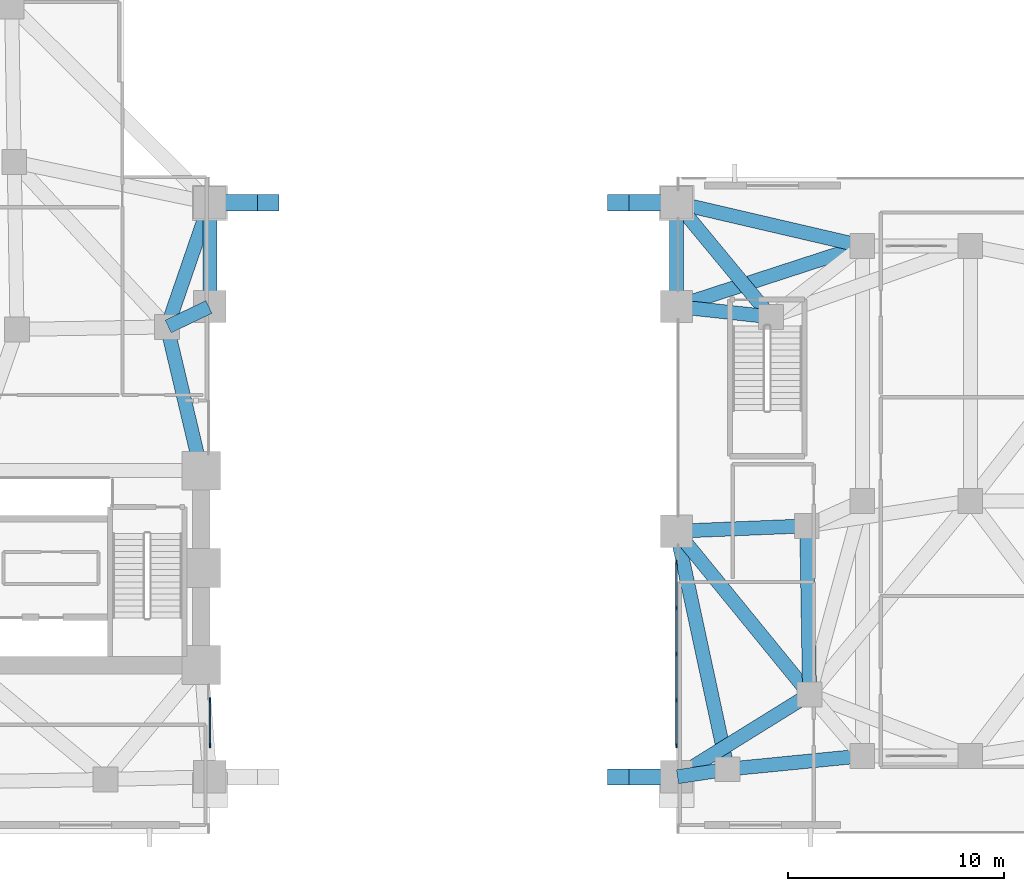
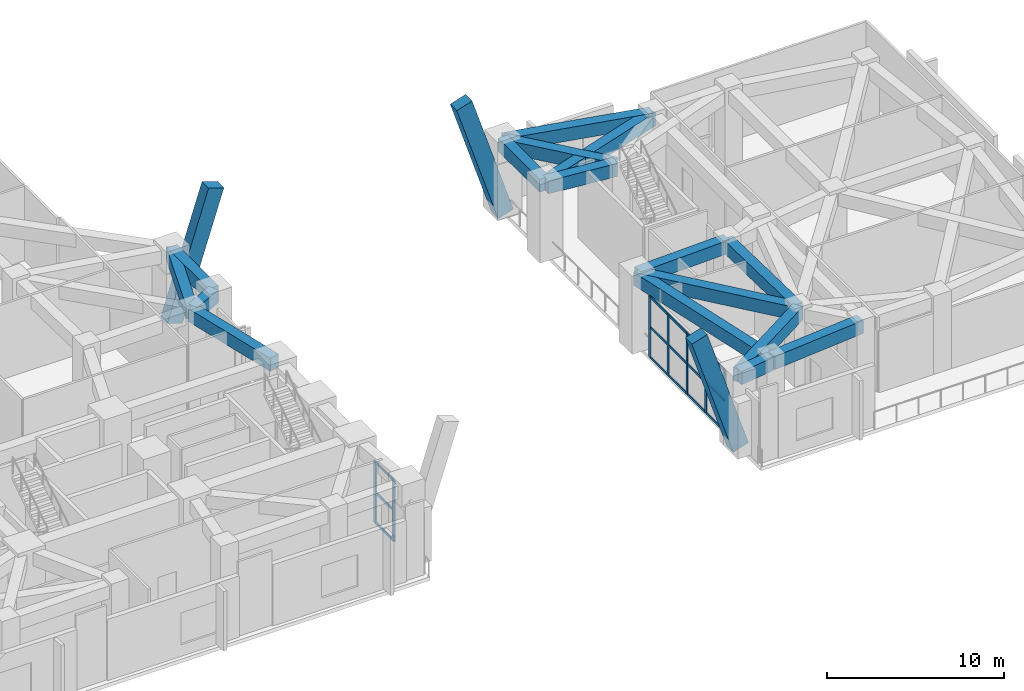
# One storey, part 2 of 18: 22 members, 19 beams, 2 elements without a shape of their own.
"""IFC4 building model written with IfcOpenShell, lengths in metres."""

from ifc_helpers import new_model, si_unit, direction, frame, origin, origin_2d, place, context, subcontext, project, spatial, rectangle, extrude, material, material_profile, profile_set, type_object, element, aggregate, save


model = new_model("IFC4")

# Units and contexts
model_context = context("Model", 3, precision=1e-05, world=origin(), true_north=direction((0.0, 1.0)))
body_context = subcontext(model_context, "Body", "Model", "MODEL_VIEW")
ifc_project = project(units=[si_unit("LENGTHUNIT", "METRE"), si_unit("AREAUNIT", "SQUARE_METRE"), si_unit("VOLUMEUNIT", "CUBIC_METRE"), si_unit("PLANEANGLEUNIT", "RADIAN"), si_unit("MASSUNIT", "GRAM", prefix="KILO")], contexts=[model_context])

# Site, building, storey
site_placement = place(None, origin())
site = spatial("IfcSite", under=ifc_project, at=site_placement, CompositionType="ELEMENT")
building_placement = place(site_placement, origin())
building = spatial("IfcBuilding", under=site, at=building_placement, Name="Gaonmaruhae Medical Tower", CompositionType="ELEMENT")
storey_placement = place(building_placement, frame((0.0, 0.0, 5.39990234375)))
storey = spatial("IfcBuildingStorey", under=building, at=storey_placement, Name="L01", CompositionType="ELEMENT", Elevation=5.39990234375)

# Beams
ifc_material_1 = material(Name="Concrete C60/75", Category="concrete")
ifc_material_profile_1 = material_profile(ifc_material_1, rectangle(XDim=0.75, YDim=1.050048828125, at=origin_2d()), Name="RCG-750x1050")
ifc_profile_set_1 = profile_set([ifc_material_profile_1], Name="Concrete C60/75")
beam_type_1 = type_object("IfcBeamType", Name="AG-01 Portal Arch Rib Girder (RCG-750x1050)", PredefinedType="BEAM", material=ifc_profile_set_1)
for number, where, z_axis, x_axis, name in (
    (1, (54.89990234375, 2.6259765625, 8.400146484375), (0.306024406583, 0.0, -0.952023667025), (0.0, 1.0, 0.0), "Portal Arch Faceted Rib S08"),
    (2, (36.0, 29.199951171875, 0.0), (0.305999328061, 0.0, 0.952031728057), (0.0, 1.0, 0.0), "Portal Arch Faceted Rib N01"),
    (3, (54.89990234375, 29.199951171875, 8.400146484375), (0.306024406583, 0.0, -0.952023667025), (0.0, 1.0, 0.0), "Portal Arch Faceted Rib N08"),
):
    element("IfcBeam", number, at=place(storey_placement, frame(where, z_axis=z_axis, x_axis=x_axis)), inside=storey, type_object=beam_type_1, Name=name, PredefinedType="BEAM", context=body_context, shape_type="SweptSolid", body=[
        extrude(rectangle(XDim=0.75, YDim=1.050048828125, at=origin_2d()), origin(), (0.0, 0.0, 1.0), 8.823486328125),
    ])

# Curtain wall, members
ifc_material_2 = material(Name="Anodised aluminium and Low-E double glazing", Category="aluminium")
curtain_wall_type = type_object("IfcCurtainWallType", Name="CW-S1 Portal Arch Concourse Curtain Wall", PredefinedType="NOTDEFINED", material=ifc_material_2)
curtain_wall_1_placement = place(storey_placement, origin())
curtain_wall_1 = element("IfcCurtainWall", 4, at=curtain_wall_1_placement, inside=storey, type_object=curtain_wall_type, Name="L01 Curtain Wall CW-L01-S1W", PredefinedType="NOTDEFINED")
ifc_material_3 = material(Name="Anodised aluminium 6063-T6", Category="aluminium")
ifc_material_profile_2 = material_profile(ifc_material_3, rectangle(XDim=0.074951171875, YDim=0.219970703125, at=origin_2d()), Name="CWM-75x220")
ifc_profile_set_2 = profile_set([ifc_material_profile_2], Name="Anodised aluminium 6063-T6")
member_type_1 = type_object("IfcMemberType", Name="CWM-1 Heavy Atrium Curtain Wall Mullion (CWM-75x220)", PredefinedType="MULLION", material=ifc_profile_set_2)
member_1_placement = place(storey_placement, frame((36.0, 4.084228515625, 0.0), z_axis=(0.0, 0.0, 1.0), x_axis=(-1.0, 0.0, 0.0)))
member_1 = element("IfcMember", 5, at=member_1_placement, type_object=member_type_1, Name="CW-S1 mullion 1", PredefinedType="MULLION", context=body_context, shape_type="SweptSolid", body=[
    extrude(rectangle(XDim=0.074951171875, YDim=0.219970703125, at=origin_2d()), origin(), (0.0, 0.0, 1.0), 4.22998046875),
])
member_2_placement = place(storey_placement, frame((36.0, 6.179443359375, 0.0), z_axis=(0.0, 0.0, 1.0), x_axis=(-1.0, 0.0, 0.0)))
member_2 = element("IfcMember", 6, at=member_2_placement, type_object=member_type_1, Name="CW-S1 mullion 2", PredefinedType="MULLION", context=body_context, shape_type="SweptSolid", body=[
    extrude(rectangle(XDim=0.074951171875, YDim=0.219970703125, at=origin_2d()), origin(), (0.0, 0.0, 1.0), 4.22998046875),
])

curtain_wall_2_placement = place(storey_placement, origin())
curtain_wall_2 = element("IfcCurtainWall", 7, at=curtain_wall_2_placement, inside=storey, type_object=curtain_wall_type, Name="L01 Curtain Wall CW-L01-S1E", PredefinedType="NOTDEFINED")
member_3_placement = place(storey_placement, frame((57.60009765625, 4.084228515625, 0.0), z_axis=(0.0, 0.0, 1.0), x_axis=(-1.0, 0.0, 0.0)))
member_3 = element("IfcMember", 8, at=member_3_placement, type_object=member_type_1, Name="CW-S1 mullion 1", PredefinedType="MULLION", context=body_context, shape_type="SweptSolid", body=[
    extrude(rectangle(XDim=0.074951171875, YDim=0.219970703125, at=origin_2d()), origin(), (0.0, 0.0, 1.0), 4.22998046875),
])
member_4_placement = place(storey_placement, frame((57.60009765625, 6.179931640625, 0.0), z_axis=(0.0, 0.0, 1.0), x_axis=(-1.0, 0.0, 0.0)))
member_4 = element("IfcMember", 9, at=member_4_placement, type_object=member_type_1, Name="CW-S1 mullion 2", PredefinedType="MULLION", context=body_context, shape_type="SweptSolid", body=[
    extrude(rectangle(XDim=0.074951171875, YDim=0.219970703125, at=origin_2d()), origin(), (0.0, 0.0, 1.0), 4.22998046875),
])
member_5_placement = place(storey_placement, frame((57.60009765625, 8.31298828125, 0.0), z_axis=(0.0, 0.0, 1.0), x_axis=(-1.0, 0.0, 0.0)))
member_5 = element("IfcMember", 10, at=member_5_placement, type_object=member_type_1, Name="CW-S1 mullion 3", PredefinedType="MULLION", context=body_context, shape_type="SweptSolid", body=[
    extrude(rectangle(XDim=0.074951171875, YDim=0.219970703125, at=origin_2d()), origin(), (0.0, 0.0, 1.0), 4.22998046875),
])
member_6_placement = place(storey_placement, frame((57.60009765625, 10.446044921875, 0.0), z_axis=(0.0, 0.0, 1.0), x_axis=(-1.0, 0.0, 0.0)))
member_6 = element("IfcMember", 11, at=member_6_placement, type_object=member_type_1, Name="CW-S1 mullion 4", PredefinedType="MULLION", context=body_context, shape_type="SweptSolid", body=[
    extrude(rectangle(XDim=0.074951171875, YDim=0.219970703125, at=origin_2d()), origin(), (0.0, 0.0, 1.0), 4.22998046875),
])
member_7_placement = place(storey_placement, frame((57.60009765625, 12.541748046875, 0.0), z_axis=(0.0, 0.0, 1.0), x_axis=(-1.0, 0.0, 0.0)))
member_7 = element("IfcMember", 12, at=member_7_placement, type_object=member_type_1, Name="CW-S1 mullion 5", PredefinedType="MULLION", context=body_context, shape_type="SweptSolid", body=[
    extrude(rectangle(XDim=0.074951171875, YDim=0.219970703125, at=origin_2d()), origin(), (0.0, 0.0, 1.0), 4.22998046875),
])

# Member
ifc_material_profile_3 = material_profile(ifc_material_3, rectangle(XDim=0.074951171875, YDim=0.159912109375, at=origin_2d()), Name="CWT-75x160")
ifc_profile_set_3 = profile_set([ifc_material_profile_3], Name="Anodised aluminium 6063-T6")
member_type_2 = type_object("IfcMemberType", Name="CWT-1 Heavy Atrium Curtain Wall Transom (CWT-75x160)", PredefinedType="USERDEFINED", material=ifc_profile_set_3)
member_8_placement = place(storey_placement, frame((36.0, 4.12158203125, 0.03759765625), z_axis=(0.0, 1.0, 0.0), x_axis=(-1.0, 0.0, 0.0)))
member_8 = element("IfcMember", 13, at=member_8_placement, type_object=member_type_2, Name="CW-S1 transom 1.1", ObjectType="TRANSOM", PredefinedType="USERDEFINED", context=body_context, shape_type="SweptSolid", body=[
    extrude(rectangle(XDim=0.074951171875, YDim=0.159912109375, at=origin_2d()), origin(), (0.0, 0.0, 1.0), 2.0205078125),
])

member_9_placement = place(storey_placement, frame((36.0, 4.12158203125, 2.114990234375), z_axis=(0.0, 1.0, 0.0), x_axis=(-1.0, 0.0, 0.0)))
member_9 = element("IfcMember", 14, at=member_9_placement, type_object=member_type_2, Name="CW-S1 transom 1.2", ObjectType="TRANSOM", PredefinedType="USERDEFINED", context=body_context, shape_type="SweptSolid", body=[
    extrude(rectangle(XDim=0.074951171875, YDim=0.159912109375, at=origin_2d()), origin(), (0.0, 0.0, 1.0), 2.0205078125),
])

member_10_placement = place(storey_placement, frame((36.0, 4.12158203125, 4.192626953125), z_axis=(0.0, 1.0, 0.0), x_axis=(-1.0, 0.0, 0.0)))
member_10 = element("IfcMember", 15, at=member_10_placement, type_object=member_type_2, Name="CW-S1 transom 1.3", ObjectType="TRANSOM", PredefinedType="USERDEFINED", context=body_context, shape_type="SweptSolid", body=[
    extrude(rectangle(XDim=0.074951171875, YDim=0.159912109375, at=origin_2d()), origin(), (0.0, 0.0, 1.0), 2.0205078125),
])

aggregate(curtain_wall_1, [member_1, member_2, member_8, member_9, member_10])

member_11_placement = place(storey_placement, frame((57.60009765625, 4.12158203125, 0.03759765625), z_axis=(0.0, 1.0, 0.0), x_axis=(-1.0, 0.0, 0.0)))
member_11 = element("IfcMember", 16, at=member_11_placement, type_object=member_type_2, Name="CW-S1 transom 1.1", ObjectType="TRANSOM", PredefinedType="USERDEFINED", context=body_context, shape_type="SweptSolid", body=[
    extrude(rectangle(XDim=0.074951171875, YDim=0.159912109375, at=origin_2d()), origin(), (0.0, 0.0, 1.0), 2.020751953125),
])

member_12_placement = place(storey_placement, frame((57.60009765625, 4.12158203125, 2.114990234375), z_axis=(0.0, 1.0, 0.0), x_axis=(-1.0, 0.0, 0.0)))
member_12 = element("IfcMember", 17, at=member_12_placement, type_object=member_type_2, Name="CW-S1 transom 1.2", ObjectType="TRANSOM", PredefinedType="USERDEFINED", context=body_context, shape_type="SweptSolid", body=[
    extrude(rectangle(XDim=0.074951171875, YDim=0.159912109375, at=origin_2d()), origin(), (0.0, 0.0, 1.0), 2.020751953125),
])

member_13_placement = place(storey_placement, frame((57.60009765625, 4.12158203125, 4.192626953125), z_axis=(0.0, 1.0, 0.0), x_axis=(-1.0, 0.0, 0.0)))
member_13 = element("IfcMember", 18, at=member_13_placement, type_object=member_type_2, Name="CW-S1 transom 1.3", ObjectType="TRANSOM", PredefinedType="USERDEFINED", context=body_context, shape_type="SweptSolid", body=[
    extrude(rectangle(XDim=0.074951171875, YDim=0.159912109375, at=origin_2d()), origin(), (0.0, 0.0, 1.0), 2.020751953125),
])

member_14_placement = place(storey_placement, frame((57.60009765625, 6.21728515625, 0.03759765625), z_axis=(0.0, 1.0, 0.0), x_axis=(-1.0, 0.0, 0.0)))
member_14 = element("IfcMember", 19, at=member_14_placement, type_object=member_type_2, Name="CW-S1 transom 2.1", ObjectType="TRANSOM", PredefinedType="USERDEFINED", context=body_context, shape_type="SweptSolid", body=[
    extrude(rectangle(XDim=0.074951171875, YDim=0.159912109375, at=origin_2d()), origin(), (0.0, 0.0, 1.0), 2.05810546875),
])

member_15_placement = place(storey_placement, frame((57.60009765625, 6.21728515625, 2.114990234375), z_axis=(0.0, 1.0, 0.0), x_axis=(-1.0, 0.0, 0.0)))
member_15 = element("IfcMember", 20, at=member_15_placement, type_object=member_type_2, Name="CW-S1 transom 2.2", ObjectType="TRANSOM", PredefinedType="USERDEFINED", context=body_context, shape_type="SweptSolid", body=[
    extrude(rectangle(XDim=0.074951171875, YDim=0.159912109375, at=origin_2d()), origin(), (0.0, 0.0, 1.0), 2.05810546875),
])

member_16_placement = place(storey_placement, frame((57.60009765625, 6.21728515625, 4.192626953125), z_axis=(0.0, 1.0, 0.0), x_axis=(-1.0, 0.0, 0.0)))
member_16 = element("IfcMember", 21, at=member_16_placement, type_object=member_type_2, Name="CW-S1 transom 2.3", ObjectType="TRANSOM", PredefinedType="USERDEFINED", context=body_context, shape_type="SweptSolid", body=[
    extrude(rectangle(XDim=0.074951171875, YDim=0.159912109375, at=origin_2d()), origin(), (0.0, 0.0, 1.0), 2.05810546875),
])

member_17_placement = place(storey_placement, frame((57.60009765625, 8.3505859375, 0.03759765625), z_axis=(0.0, 1.0, 0.0), x_axis=(-1.0, 0.0, 0.0)))
member_17 = element("IfcMember", 22, at=member_17_placement, type_object=member_type_2, Name="CW-S1 transom 3.1", ObjectType="TRANSOM", PredefinedType="USERDEFINED", context=body_context, shape_type="SweptSolid", body=[
    extrude(rectangle(XDim=0.074951171875, YDim=0.159912109375, at=origin_2d()), origin(), (0.0, 0.0, 1.0), 2.05810546875),
])

member_18_placement = place(storey_placement, frame((57.60009765625, 8.3505859375, 2.114990234375), z_axis=(0.0, 1.0, 0.0), x_axis=(-1.0, 0.0, 0.0)))
member_18 = element("IfcMember", 23, at=member_18_placement, type_object=member_type_2, Name="CW-S1 transom 3.2", ObjectType="TRANSOM", PredefinedType="USERDEFINED", context=body_context, shape_type="SweptSolid", body=[
    extrude(rectangle(XDim=0.074951171875, YDim=0.159912109375, at=origin_2d()), origin(), (0.0, 0.0, 1.0), 2.05810546875),
])

member_19_placement = place(storey_placement, frame((57.60009765625, 8.3505859375, 4.192626953125), z_axis=(0.0, 1.0, 0.0), x_axis=(-1.0, 0.0, 0.0)))
member_19 = element("IfcMember", 24, at=member_19_placement, type_object=member_type_2, Name="CW-S1 transom 3.3", ObjectType="TRANSOM", PredefinedType="USERDEFINED", context=body_context, shape_type="SweptSolid", body=[
    extrude(rectangle(XDim=0.074951171875, YDim=0.159912109375, at=origin_2d()), origin(), (0.0, 0.0, 1.0), 2.05810546875),
])

member_20_placement = place(storey_placement, frame((57.60009765625, 10.483642578125, 0.03759765625), z_axis=(0.0, 1.0, 0.0), x_axis=(-1.0, 0.0, 0.0)))
member_20 = element("IfcMember", 25, at=member_20_placement, type_object=member_type_2, Name="CW-S1 transom 4.1", ObjectType="TRANSOM", PredefinedType="USERDEFINED", context=body_context, shape_type="SweptSolid", body=[
    extrude(rectangle(XDim=0.074951171875, YDim=0.159912109375, at=origin_2d()), origin(), (0.0, 0.0, 1.0), 2.020751953125),
])

member_21_placement = place(storey_placement, frame((57.60009765625, 10.483642578125, 2.114990234375), z_axis=(0.0, 1.0, 0.0), x_axis=(-1.0, 0.0, 0.0)))
member_21 = element("IfcMember", 26, at=member_21_placement, type_object=member_type_2, Name="CW-S1 transom 4.2", ObjectType="TRANSOM", PredefinedType="USERDEFINED", context=body_context, shape_type="SweptSolid", body=[
    extrude(rectangle(XDim=0.074951171875, YDim=0.159912109375, at=origin_2d()), origin(), (0.0, 0.0, 1.0), 2.020751953125),
])

member_22_placement = place(storey_placement, frame((57.60009765625, 10.483642578125, 4.192626953125), z_axis=(0.0, 1.0, 0.0), x_axis=(-1.0, 0.0, 0.0)))
member_22 = element("IfcMember", 27, at=member_22_placement, type_object=member_type_2, Name="CW-S1 transom 4.3", ObjectType="TRANSOM", PredefinedType="USERDEFINED", context=body_context, shape_type="SweptSolid", body=[
    extrude(rectangle(XDim=0.074951171875, YDim=0.159912109375, at=origin_2d()), origin(), (0.0, 0.0, 1.0), 2.020751953125),
])

aggregate(curtain_wall_2, [member_3, member_4, member_5, member_6, member_7, member_11, member_12, member_13, member_14, member_15, member_16, member_17, member_18, member_19, member_20, member_21, member_22])

# Beams
ifc_material_4 = material(Name="Concrete C50/60", Category="concrete")
ifc_material_profile_4 = material_profile(ifc_material_4, rectangle(XDim=0.64990234375, YDim=0.89990234375, at=origin_2d()), Name="RCG-650x900")
ifc_profile_set_4 = profile_set([ifc_material_profile_4], Name="Concrete C50/60")
beam_type_2 = type_object("IfcBeamType", Name="RG-01 Podium Primary RC Girder (RCG-650x900)", PredefinedType="BEAM", material=ifc_profile_set_4)
beam_1_placement = place(storey_placement, frame((57.6494140625, 2.633544921875, 4.7001953125), z_axis=(0.988739394413, 0.149647619213, 0.0), x_axis=(-0.149647619213, 0.988739394413, 0.0)))
element("IfcBeam", 28, at=beam_1_placement, inside=storey, type_object=beam_type_2, Name="L01 Beam BM-L01-PG003", PredefinedType="BEAM", context=body_context, shape_type="SweptSolid", body=[
    extrude(rectangle(XDim=0.64990234375, YDim=0.89990234375, at=origin_2d()), origin(), (0.0, 0.0, 1.0), 2.292236328125),
])
beam_2_placement = place(storey_placement, frame((57.642578125, 2.65234375, 4.7001953125), z_axis=(0.849690298429, 0.527282084614, 0.0), x_axis=(-0.527282084614, 0.849690298429, 0.0)))
element("IfcBeam", 29, at=beam_2_placement, inside=storey, type_object=beam_type_2, Name="L01 Beam BM-L01-PG004", PredefinedType="BEAM", context=body_context, shape_type="SweptSolid", body=[
    extrude(rectangle(XDim=0.64990234375, YDim=0.89990234375, at=origin_2d()), origin(), (0.0, 0.0, 1.0), 7.147705078125),
])
beam_3_placement = place(storey_placement, frame((57.64990234375, 14.001953125, 4.7001953125), z_axis=(0.999165142421, 0.04085361881, 0.0), x_axis=(-0.04085361881, 0.999165142421, 0.0)))
element("IfcBeam", 30, at=beam_3_placement, inside=storey, type_object=beam_type_2, Name="L01 Beam BM-L01-PG005", PredefinedType="BEAM", context=body_context, shape_type="SweptSolid", body=[
    extrude(rectangle(XDim=0.64990234375, YDim=0.89990234375, at=origin_2d()), origin(), (0.0, 0.0, 1.0), 5.93408203125),
])
beam_4_placement = place(storey_placement, frame((57.631591796875, 13.961181640625, 4.7001953125), z_axis=(0.631959132542, -0.77500171277, 0.0), x_axis=(0.77500171277, 0.631959132542, 0.0)))
element("IfcBeam", 31, at=beam_4_placement, inside=storey, type_object=beam_type_2, Name="L01 Beam BM-L01-PG006", PredefinedType="BEAM", context=body_context, shape_type="SweptSolid", body=[
    extrude(rectangle(XDim=0.64990234375, YDim=0.89990234375, at=origin_2d()), origin(), (0.0, 0.0, 1.0), 9.64501953125),
])
beam_5_placement = place(storey_placement, frame((35.954833984375, 24.37841796875, 4.7001953125), z_axis=(-0.902607868555, -0.430463744841, 0.0), x_axis=(0.430463744841, -0.902607868555, 0.0)))
element("IfcBeam", 32, at=beam_5_placement, inside=storey, type_object=beam_type_2, Name="L01 Beam BM-L01-PG007", PredefinedType="BEAM", context=body_context, shape_type="SweptSolid", body=[
    extrude(rectangle(XDim=0.64990234375, YDim=0.89990234375, at=origin_2d()), origin(), (0.0, 0.0, 1.0), 2.091064453125),
])
beam_6_placement = place(storey_placement, frame((36.0, 24.449951171875, 4.7001953125), z_axis=(0.0, 1.0, 0.0), x_axis=(-1.0, 0.0, 0.0)))
element("IfcBeam", 33, at=beam_6_placement, inside=storey, type_object=beam_type_2, Name="L01 Beam BM-L01-PG008", PredefinedType="BEAM", context=body_context, shape_type="SweptSolid", body=[
    extrude(rectangle(XDim=0.64990234375, YDim=0.89990234375, at=origin_2d()), origin(), (0.0, 0.0, 1.0), 4.699951171875),
])
beam_7_placement = place(storey_placement, frame((57.649658203125, 24.39453125, 4.7001953125), z_axis=(0.994019545115, -0.109202307341, 0.0), x_axis=(0.109202307341, 0.994019545115, 0.0)))
element("IfcBeam", 34, at=beam_7_placement, inside=storey, type_object=beam_type_2, Name="L01 Beam BM-L01-PG009", PredefinedType="BEAM", context=body_context, shape_type="SweptSolid", body=[
    extrude(rectangle(XDim=0.64990234375, YDim=0.89990234375, at=origin_2d()), origin(), (0.0, 0.0, 1.0), 4.294677734375),
])
beam_8_placement = place(storey_placement, frame((57.60009765625, 24.449951171875, 4.7001953125), z_axis=(0.0, 1.0, 0.0), x_axis=(-1.0, 0.0, 0.0)))
element("IfcBeam", 35, at=beam_8_placement, inside=storey, type_object=beam_type_2, Name="L01 Beam BM-L01-PG010", PredefinedType="BEAM", context=body_context, shape_type="SweptSolid", body=[
    extrude(rectangle(XDim=0.64990234375, YDim=0.89990234375, at=origin_2d()), origin(), (0.0, 0.0, 1.0), 4.699951171875),
])
beam_9_placement = place(storey_placement, frame((35.983642578125, 29.15283203125, 4.7001953125), z_axis=(-0.325578822882, -0.945514902099, 0.0), x_axis=(0.945514902099, -0.325578822882, 0.0)))
element("IfcBeam", 36, at=beam_9_placement, inside=storey, type_object=beam_type_2, Name="L01 Beam BM-L01-PG011", PredefinedType="BEAM", context=body_context, shape_type="SweptSolid", body=[
    extrude(rectangle(XDim=0.64990234375, YDim=0.89990234375, at=origin_2d()), origin(), (0.0, 0.0, 1.0), 5.97412109375),
])
beam_10_placement = place(storey_placement, frame((57.6318359375, 29.161376953125, 4.7001953125), z_axis=(0.63748483708, -0.770462901439, 0.0), x_axis=(0.770462901439, 0.63748483708, 0.0)))
element("IfcBeam", 37, at=beam_10_placement, inside=storey, type_object=beam_type_2, Name="L01 Beam BM-L01-PG013", PredefinedType="BEAM", context=body_context, shape_type="SweptSolid", body=[
    extrude(rectangle(XDim=0.64990234375, YDim=0.89990234375, at=origin_2d()), origin(), (0.0, 0.0, 1.0), 6.752685546875),
])
beam_11_placement = place(storey_placement, frame((57.648681640625, 29.188720703125, 4.7001953125), z_axis=(0.974009892436, -0.226505473306, 0.0), x_axis=(0.226505473306, 0.974009892436, 0.0)))
element("IfcBeam", 38, at=beam_11_placement, inside=storey, type_object=beam_type_2, Name="L01 Beam BM-L01-PG014", PredefinedType="BEAM", context=body_context, shape_type="SweptSolid", body=[
    extrude(rectangle(XDim=0.64990234375, YDim=0.89990234375, at=origin_2d()), origin(), (0.0, 0.0, 1.0), 8.7294921875),
])
beam_12_placement = place(storey_placement, frame((60.01513671875, 2.989013671875, 4.7001953125), z_axis=(0.995157611047, 0.098292060592, 0.0), x_axis=(-0.098292060592, 0.995157611047, 0.0)))
element("IfcBeam", 39, at=beam_12_placement, inside=storey, type_object=beam_type_2, Name="L01 Beam BM-L01-PG023", PredefinedType="BEAM", context=body_context, shape_type="SweptSolid", body=[
    extrude(rectangle(XDim=0.64990234375, YDim=0.89990234375, at=origin_2d()), origin(), (0.0, 0.0, 1.0), 6.164794921875),
])
beam_13_placement = place(storey_placement, frame((59.954833984375, 3.032958984375, 4.7001953125), z_axis=(-0.209924731401, 0.977717549779, 0.0), x_axis=(-0.977717549779, -0.209924731401, 0.0)))
element("IfcBeam", 40, at=beam_13_placement, inside=storey, type_object=beam_type_2, Name="L01 Beam BM-L01-PG024", PredefinedType="BEAM", context=body_context, shape_type="SweptSolid", body=[
    extrude(rectangle(XDim=0.64990234375, YDim=0.89990234375, at=origin_2d()), origin(), (0.0, 0.0, 1.0), 11.1669921875),
])
beam_14_placement = place(storey_placement, frame((63.757568359375, 6.49755859375, 4.7001953125), z_axis=(-0.016582992443, 0.999862492727, 0.0), x_axis=(-0.999862492727, -0.016582992443, 0.0)))
element("IfcBeam", 41, at=beam_14_placement, inside=storey, type_object=beam_type_2, Name="L01 Beam BM-L01-PG026", PredefinedType="BEAM", context=body_context, shape_type="SweptSolid", body=[
    extrude(rectangle(XDim=0.64990234375, YDim=0.89990234375, at=origin_2d()), origin(), (0.0, 0.0, 1.0), 7.69970703125),
])
beam_15_placement = place(storey_placement, frame((34.033935546875, 23.408203125, 4.7001953125), z_axis=(0.230587307936, -0.973051639647, 0.0), x_axis=(0.973051639647, 0.230587307936, 0.0)))
element("IfcBeam", 42, at=beam_15_placement, inside=storey, type_object=beam_type_2, Name="L01 Beam BM-L01-PG031", PredefinedType="BEAM", context=body_context, shape_type="SweptSolid", body=[
    extrude(rectangle(XDim=0.64990234375, YDim=0.89990234375, at=origin_2d()), origin(), (0.0, 0.0, 1.0), 6.7412109375),
])
beam_16_placement = place(storey_placement, frame((66.15234375, 27.1845703125, 4.7001953125), z_axis=(-0.950871057756, -0.309587195346, 0.0), x_axis=(0.309587195346, -0.950871057756, 0.0)))
element("IfcBeam", 43, at=beam_16_placement, inside=storey, type_object=beam_type_2, Name="L01 Beam BM-L01-PG067", PredefinedType="BEAM", context=body_context, shape_type="SweptSolid", body=[
    extrude(rectangle(XDim=0.64990234375, YDim=0.89990234375, at=origin_2d()), origin(), (0.0, 0.0, 1.0), 8.9443359375),
])

save(model, "model.ifc")
